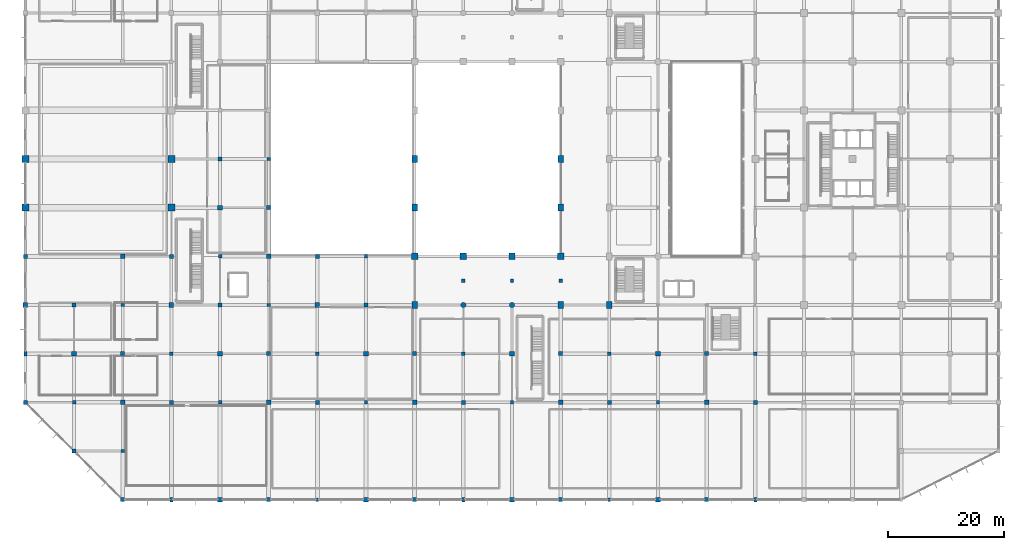
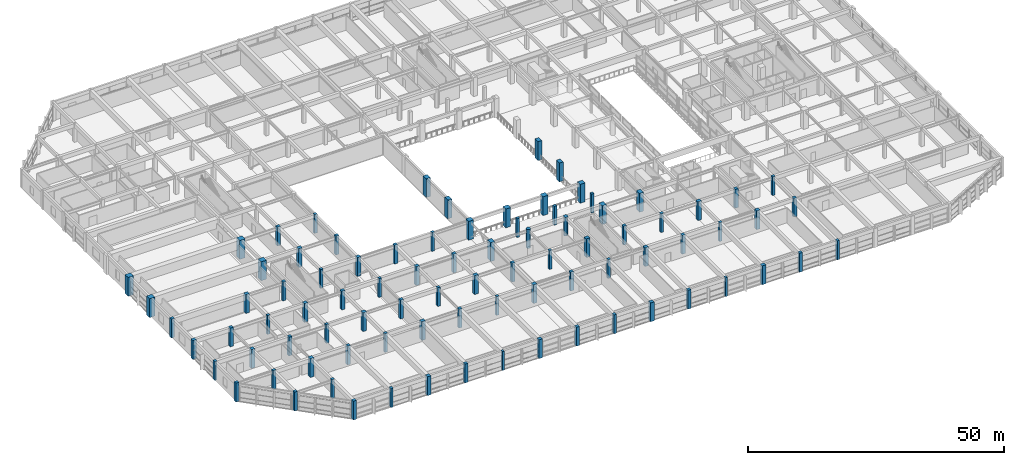
# One storey, part 1 of 65: 87 columns.
"""IFC4 building model written with IfcOpenShell, lengths in metres."""

from ifc_helpers import new_model, si_unit, direction, frame, origin, origin_2d, place, context, subcontext, project, spatial, rectangle, circle, extrude, material, material_profile, profile_set, type_object, element, save


model = new_model("IFC4")

# Units and contexts
model_context = context("Model", 3, precision=1e-05, world=origin(), true_north=direction((0.0, 1.0)))
body_context = subcontext(model_context, "Body", "Model", "MODEL_VIEW")
ifc_project = project(units=[si_unit("LENGTHUNIT", "METRE"), si_unit("AREAUNIT", "SQUARE_METRE"), si_unit("VOLUMEUNIT", "CUBIC_METRE"), si_unit("PLANEANGLEUNIT", "RADIAN"), si_unit("MASSUNIT", "GRAM", prefix="KILO")], contexts=[model_context])

# Site, building, storey
site_placement = place(None, origin())
site = spatial("IfcSite", under=ifc_project, at=site_placement, CompositionType="ELEMENT")
building_placement = place(site_placement, origin())
building = spatial("IfcBuilding", under=site, at=building_placement, Name="Xuanlan Plaza Opera House", CompositionType="ELEMENT")
storey_placement = place(building_placement, frame((0.0, 0.0, 5.39990234375)))
storey = spatial("IfcBuildingStorey", under=building, at=storey_placement, Name="L01", CompositionType="ELEMENT", Elevation=5.39990234375)

# Columns
ifc_material_1 = material(Name="Concrete C60", Category="concrete")
ifc_material_profile_1 = material_profile(ifc_material_1, rectangle(XDim=1.199951171875, YDim=1.199951171875, at=origin_2d()), Name="RC-COL 1200x1200")
ifc_profile_set_1 = profile_set([ifc_material_profile_1], Name="Concrete C60")
column_type_1 = type_object("IfcColumnType", Name="STR-COL-C-02", PredefinedType="COLUMN", material=ifc_profile_set_1)
for number, where, z_axis, x_axis, name in (
    (1, (0.0, 50.39990234375, 0.0), (0.0, 0.0, 1.0), (1.0, 0.0, 0.0), "Column L01 1-G"),
    (2, (0.0, 58.800048828125, 0.0), (0.0, 0.0, 1.0), (1.0, 0.0, 0.0), "Column L01 1-H"),
    (3, (25.199951171875, 50.39990234375, 0.0), (0.0, 0.0, 1.0), (1.0, 0.0, 0.0), "Column L01 4-G"),
    (4, (25.199951171875, 58.800048828125, 0.0), (0.0, 0.0, 1.0), (1.0, 0.0, 0.0), "Column L01 4-H"),
):
    element("IfcColumn", number, at=place(storey_placement, frame(where, z_axis=z_axis, x_axis=x_axis)), inside=storey, type_object=column_type_1, Name=name, PredefinedType="COLUMN", context=body_context, shape_type="SweptSolid", body=[
        extrude(rectangle(XDim=1.199951171875, YDim=1.199951171875, at=origin_2d()), origin(), (0.0, 0.0, 1.0), 4.5),
    ])
ifc_material_2 = material(Name="Concrete C50", Category="concrete")
ifc_material_profile_2 = material_profile(ifc_material_2, rectangle(XDim=1.10009765625, YDim=1.10009765625, at=origin_2d()), Name="RC-COL 1100x1100")
ifc_profile_set_2 = profile_set([ifc_material_profile_2], Name="Concrete C50")
column_type_2 = type_object("IfcColumnType", Name="STR-COL-C-03", PredefinedType="COLUMN", material=ifc_profile_set_2)
for number, where, z_axis, x_axis, name in (
    (5, (67.199951171875, 42.0, 0.0), (0.0, 0.0, 1.0), (1.0, 0.0, 0.0), "Column L01 9-F"),
    (6, (75.60009765625, 42.0, 0.0), (0.0, 0.0, 1.0), (1.0, 0.0, 0.0), "Column L01 10-F"),
    (7, (84.0, 42.0, 0.0), (0.0, 0.0, 1.0), (1.0, 0.0, 0.0), "Column L01 11-F"),
    (8, (92.39990234375, 42.0, 0.0), (0.0, 0.0, 1.0), (1.0, 0.0, 0.0), "Column L01 12-F"),
):
    element("IfcColumn", number, at=place(storey_placement, frame(where, z_axis=z_axis, x_axis=x_axis)), inside=storey, type_object=column_type_2, Name=name, PredefinedType="COLUMN", context=body_context, shape_type="SweptSolid", body=[
        extrude(rectangle(XDim=1.10009765625, YDim=1.10009765625, at=origin_2d()), origin(), (0.0, 0.0, 1.0), 4.5),
    ])
ifc_material_3 = material(Name="Concrete C40", Category="concrete")
ifc_material_profile_3 = material_profile(ifc_material_3, rectangle(XDim=0.800048828125, YDim=0.800048828125, at=origin_2d()), Name="RC-COL 800x800")
ifc_profile_set_3 = profile_set([ifc_material_profile_3], Name="Concrete C40")
column_type_3 = type_object("IfcColumnType", Name="STR-COL-C-06", PredefinedType="COLUMN", material=ifc_profile_set_3)
for number, where, z_axis, x_axis, name in (
    (9, (0.0, 33.60009765625, 0.0), (0.0, 0.0, 1.0), (1.0, 0.0, 0.0), "Column L01 1-E"),
    (10, (8.39990234375, 25.199951171875, 0.0), (0.0, 0.0, 1.0), (1.0, 0.0, 0.0), "Column L01 2-D"),
    (11, (16.800048828125, 16.800048828125, 0.0), (0.0, 0.0, 1.0), (1.0, 0.0, 0.0), "Column L01 3-C"),
    (12, (16.800048828125, 42.0, 0.0), (0.0, 0.0, 1.0), (1.0, 0.0, 0.0), "Column L01 3-F"),
    (13, (25.199951171875, 33.60009765625, 0.0), (0.0, 0.0, 1.0), (1.0, 0.0, 0.0), "Column L01 4-E"),
    (14, (33.60009765625, 0.0, 0.0), (0.0, 0.0, 1.0), (1.0, 0.0, 0.0), "Column L01 5-A"),
    (15, (33.60009765625, 25.199951171875, 0.0), (0.0, 0.0, 1.0), (1.0, 0.0, 0.0), "Column L01 5-D"),
    (16, (33.60009765625, 50.39990234375, 0.0), (0.0, 0.0, 1.0), (1.0, 0.0, 0.0), "Column L01 5-G"),
    (17, (42.0, 16.800048828125, 0.0), (0.0, 0.0, 1.0), (1.0, 0.0, 0.0), "Column L01 6-C"),
    (18, (42.0, 42.0, 0.0), (0.0, 0.0, 1.0), (1.0, 0.0, 0.0), "Column L01 6-F"),
    (19, (50.39990234375, 33.60009765625, 0.0), (0.0, 0.0, 1.0), (1.0, 0.0, 0.0), "Column L01 7-E"),
    (20, (58.800048828125, 0.0, 0.0), (0.0, 0.0, 1.0), (1.0, 0.0, 0.0), "Column L01 8-A"),
    (21, (58.800048828125, 25.199951171875, 0.0), (0.0, 0.0, 1.0), (1.0, 0.0, 0.0), "Column L01 8-D"),
    (22, (67.199951171875, 16.800048828125, 0.0), (0.0, 0.0, 1.0), (1.0, 0.0, 0.0), "Column L01 9-C"),
    (23, (84.0, 0.0, 0.0), (0.0, 0.0, 1.0), (1.0, 0.0, 0.0), "Column L01 11-A"),
    (24, (84.0, 25.199951171875, 0.0), (0.0, 0.0, 1.0), (1.0, 0.0, 0.0), "Column L01 11-D"),
    (25, (92.39990234375, 16.800048828125, 0.0), (0.0, 0.0, 1.0), (1.0, 0.0, 0.0), "Column L01 12-C"),
    (26, (109.199951171875, 0.0, 0.0), (0.0, 0.0, 1.0), (1.0, 0.0, 0.0), "Column L01 14-A"),
    (27, (109.199951171875, 25.199951171875, 0.0), (0.0, 0.0, 1.0), (1.0, 0.0, 0.0), "Column L01 14-D"),
    (28, (117.60009765625, 16.800048828125, 0.0), (0.0, 0.0, 1.0), (1.0, 0.0, 0.0), "Column L01 15-C"),
):
    element("IfcColumn", number, at=place(storey_placement, frame(where, z_axis=z_axis, x_axis=x_axis)), inside=storey, type_object=column_type_3, Name=name, PredefinedType="COLUMN", context=body_context, shape_type="SweptSolid", body=[
        extrude(rectangle(XDim=0.800048828125, YDim=0.800048828125, at=origin_2d()), origin(), (0.0, 0.0, 1.0), 4.5),
    ])
ifc_material_profile_4 = material_profile(ifc_material_3, rectangle(XDim=0.699951171875, YDim=0.699951171875, at=origin_2d()), Name="RC-COL 700x700")
ifc_profile_set_4 = profile_set([ifc_material_profile_4], Name="Concrete C40")
column_type_4 = type_object("IfcColumnType", Name="STR-COL-C-07", PredefinedType="COLUMN", material=ifc_profile_set_4)
for number, where, z_axis, x_axis, name in (
    (29, (0.0, 16.800048828125, 0.0), (0.0, 0.0, 1.0), (1.0, 0.0, 0.0), "Column L01 1-C"),
    (30, (0.0, 42.0, 0.0), (0.0, 0.0, 1.0), (1.0, 0.0, 0.0), "Column L01 1-F"),
    (31, (8.39990234375, 8.39990234375, 0.0), (0.0, 0.0, 1.0), (1.0, 0.0, 0.0), "Column L01 2-B"),
    (32, (8.39990234375, 33.60009765625, 0.0), (0.0, 0.0, 1.0), (1.0, 0.0, 0.0), "Column L01 2-E"),
    (33, (16.800048828125, 0.0, 0.0), (0.0, 0.0, 1.0), (1.0, 0.0, 0.0), "Column L01 3-A"),
    (34, (16.800048828125, 25.199951171875, 0.0), (0.0, 0.0, 1.0), (1.0, 0.0, 0.0), "Column L01 3-D"),
    (35, (25.199951171875, 16.800048828125, 0.0), (0.0, 0.0, 1.0), (1.0, 0.0, 0.0), "Column L01 4-C"),
    (36, (25.199951171875, 42.0, 0.0), (0.0, 0.0, 1.0), (1.0, 0.0, 0.0), "Column L01 4-F"),
    (37, (33.60009765625, 33.60009765625, 0.0), (0.0, 0.0, 1.0), (1.0, 0.0, 0.0), "Column L01 5-E"),
    (38, (33.60009765625, 58.800048828125, 0.0), (0.0, 0.0, 1.0), (1.0, 0.0, 0.0), "Column L01 5-H"),
    (39, (42.0, 0.0, 0.0), (0.0, 0.0, 1.0), (1.0, 0.0, 0.0), "Column L01 6-A"),
    (40, (42.0, 25.199951171875, 0.0), (0.0, 0.0, 1.0), (1.0, 0.0, 0.0), "Column L01 6-D"),
    (41, (42.0, 50.39990234375, 0.0), (0.0, 0.0, 1.0), (1.0, 0.0, 0.0), "Column L01 6-G"),
    (42, (50.39990234375, 16.800048828125, 0.0), (0.0, 0.0, 1.0), (1.0, 0.0, 0.0), "Column L01 7-C"),
    (43, (50.39990234375, 42.0, 0.0), (0.0, 0.0, 1.0), (1.0, 0.0, 0.0), "Column L01 7-F"),
    (44, (58.800048828125, 33.60009765625, 0.0), (0.0, 0.0, 1.0), (1.0, 0.0, 0.0), "Column L01 8-E"),
    (45, (67.199951171875, 0.0, 0.0), (0.0, 0.0, 1.0), (1.0, 0.0, 0.0), "Column L01 9-A"),
    (46, (67.199951171875, 25.199951171875, 0.0), (0.0, 0.0, 1.0), (1.0, 0.0, 0.0), "Column L01 9-D"),
    (47, (75.60009765625, 16.800048828125, 0.0), (0.0, 0.0, 1.0), (1.0, 0.0, 0.0), "Column L01 10-C"),
    (48, (92.39990234375, 0.0, 0.0), (0.0, 0.0, 1.0), (1.0, 0.0, 0.0), "Column L01 12-A"),
    (49, (92.39990234375, 25.199951171875, 0.0), (0.0, 0.0, 1.0), (1.0, 0.0, 0.0), "Column L01 12-D"),
    (50, (100.800048828125, 16.800048828125, 0.0), (0.0, 0.0, 1.0), (1.0, 0.0, 0.0), "Column L01 13-C"),
    (51, (117.60009765625, 0.0, 0.0), (0.0, 0.0, 1.0), (1.0, 0.0, 0.0), "Column L01 15-A"),
    (52, (117.60009765625, 25.199951171875, 0.0), (0.0, 0.0, 1.0), (1.0, 0.0, 0.0), "Column L01 15-D"),
    (53, (126.0, 16.800048828125, 0.0), (0.0, 0.0, 1.0), (1.0, 0.0, 0.0), "Column L01 16-C"),
):
    element("IfcColumn", number, at=place(storey_placement, frame(where, z_axis=z_axis, x_axis=x_axis)), inside=storey, type_object=column_type_4, Name=name, PredefinedType="COLUMN", context=body_context, shape_type="SweptSolid", body=[
        extrude(rectangle(XDim=0.699951171875, YDim=0.699951171875, at=origin_2d()), origin(), (0.0, 0.0, 1.0), 4.5),
    ])
ifc_material_profile_5 = material_profile(ifc_material_3, rectangle(XDim=0.60009765625, YDim=0.60009765625, at=origin_2d()), Name="RC-COL 600x600")
ifc_profile_set_5 = profile_set([ifc_material_profile_5], Name="Concrete C40")
column_type_5 = type_object("IfcColumnType", Name="STR-COL-C-08", PredefinedType="COLUMN", material=ifc_profile_set_5)
for number, where, z_axis, x_axis, name in (
    (54, (8.39990234375, 16.800048828125, 0.0), (0.0, 0.0, 1.0), (1.0, 0.0, 0.0), "Column L01 2-C"),
    (55, (16.800048828125, 8.39990234375, 0.0), (0.0, 0.0, 1.0), (1.0, 0.0, 0.0), "Column L01 3-B"),
    (56, (16.800048828125, 33.60009765625, 0.0), (0.0, 0.0, 1.0), (1.0, 0.0, 0.0), "Column L01 3-E"),
    (57, (25.199951171875, 25.199951171875, 0.0), (0.0, 0.0, 1.0), (1.0, 0.0, 0.0), "Column L01 4-D"),
    (58, (33.60009765625, 16.800048828125, 0.0), (0.0, 0.0, 1.0), (1.0, 0.0, 0.0), "Column L01 5-C"),
    (59, (33.60009765625, 42.0, 0.0), (0.0, 0.0, 1.0), (1.0, 0.0, 0.0), "Column L01 5-F"),
    (60, (42.0, 33.60009765625, 0.0), (0.0, 0.0, 1.0), (1.0, 0.0, 0.0), "Column L01 6-E"),
    (61, (42.0, 58.800048828125, 0.0), (0.0, 0.0, 1.0), (1.0, 0.0, 0.0), "Column L01 6-H"),
    (62, (50.39990234375, 25.199951171875, 0.0), (0.0, 0.0, 1.0), (1.0, 0.0, 0.0), "Column L01 7-D"),
    (63, (58.800048828125, 16.800048828125, 0.0), (0.0, 0.0, 1.0), (1.0, 0.0, 0.0), "Column L01 8-C"),
    (64, (58.800048828125, 42.0, 0.0), (0.0, 0.0, 1.0), (1.0, 0.0, 0.0), "Column L01 8-F"),
    (65, (75.60009765625, 25.199951171875, 0.0), (0.0, 0.0, 1.0), (1.0, 0.0, 0.0), "Column L01 10-D"),
    (66, (84.0, 16.800048828125, 0.0), (0.0, 0.0, 1.0), (1.0, 0.0, 0.0), "Column L01 11-C"),
    (67, (100.800048828125, 25.199951171875, 0.0), (0.0, 0.0, 1.0), (1.0, 0.0, 0.0), "Column L01 13-D"),
    (68, (109.199951171875, 16.800048828125, 0.0), (0.0, 0.0, 1.0), (1.0, 0.0, 0.0), "Column L01 14-C"),
    (69, (126.0, 25.199951171875, 0.0), (0.0, 0.0, 1.0), (1.0, 0.0, 0.0), "Column L01 16-D"),
    (70, (75.60009765625, 37.800048828125, 0.0), (0.0, 0.0, 1.0), (1.0, 0.0, 0.0), "Side Tier Support Column L01 S X75"),
    (71, (84.0, 37.800048828125, 0.0), (0.0, 0.0, 1.0), (1.0, 0.0, 0.0), "Side Tier Support Column L01 S X84"),
    (72, (92.39990234375, 37.800048828125, 0.0), (0.0, 0.0, 1.0), (1.0, 0.0, 0.0), "Side Tier Support Column L01 S X92"),
):
    element("IfcColumn", number, at=place(storey_placement, frame(where, z_axis=z_axis, x_axis=x_axis)), inside=storey, type_object=column_type_5, Name=name, PredefinedType="COLUMN", context=body_context, shape_type="SweptSolid", body=[
        extrude(rectangle(XDim=0.60009765625, YDim=0.60009765625, at=origin_2d()), origin(), (0.0, 0.0, 1.0), 4.5),
    ])
ifc_material_profile_6 = material_profile(ifc_material_2, rectangle(XDim=0.89990234375, YDim=1.199951171875, at=origin_2d()), Name="RC-COL 900x1200")
ifc_profile_set_6 = profile_set([ifc_material_profile_6], Name="Concrete C50")
column_type_6 = type_object("IfcColumnType", Name="STR-COL-C-10", PredefinedType="COLUMN", material=ifc_profile_set_6)
for number, where, z_axis, x_axis, name in (
    (73, (67.199951171875, 33.60009765625, 0.0), (0.0, 0.0, 1.0), (1.0, 0.0, 0.0), "Column L01 9-E"),
    (74, (67.199951171875, 50.39990234375, 0.0), (0.0, 0.0, 1.0), (1.0, 0.0, 0.0), "Column L01 9-G"),
    (75, (67.199951171875, 58.800048828125, 0.0), (0.0, 0.0, 1.0), (1.0, 0.0, 0.0), "Column L01 9-H"),
    (76, (92.39990234375, 33.60009765625, 0.0), (0.0, 0.0, 1.0), (1.0, 0.0, 0.0), "Column L01 12-E"),
    (77, (92.39990234375, 50.39990234375, 0.0), (0.0, 0.0, 1.0), (1.0, 0.0, 0.0), "Column L01 12-G"),
    (78, (92.39990234375, 58.800048828125, 0.0), (0.0, 0.0, 1.0), (1.0, 0.0, 0.0), "Column L01 12-H"),
    (79, (100.800048828125, 33.60009765625, 0.0), (0.0, 0.0, 1.0), (1.0, 0.0, 0.0), "Column L01 13-E"),
):
    element("IfcColumn", number, at=place(storey_placement, frame(where, z_axis=z_axis, x_axis=x_axis)), inside=storey, type_object=column_type_6, Name=name, PredefinedType="COLUMN", context=body_context, shape_type="SweptSolid", body=[
        extrude(rectangle(XDim=0.89990234375, YDim=1.199951171875, at=origin_2d()), origin(), (0.0, 0.0, 1.0), 4.5),
    ])
ifc_material_profile_7 = material_profile(ifc_material_3, circle(Radius=0.449951171875, at=origin_2d()), Name="RC-COL D900")
ifc_profile_set_7 = profile_set([ifc_material_profile_7], Name="Concrete C40")
column_type_7 = type_object("IfcColumnType", Name="STR-COL-C-12", PredefinedType="COLUMN", material=ifc_profile_set_7)
for number, where, z_axis, x_axis, name in (
    (80, (75.60009765625, 33.60009765625, 0.0), (0.0, 0.0, 1.0), (1.0, 0.0, 0.0), "Column L01 10-E"),
    (81, (84.0, 33.60009765625, 0.0), (0.0, 0.0, 1.0), (1.0, 0.0, 0.0), "Column L01 11-E"),
):
    element("IfcColumn", number, at=place(storey_placement, frame(where, z_axis=z_axis, x_axis=x_axis)), inside=storey, type_object=column_type_7, Name=name, PredefinedType="COLUMN", context=body_context, shape_type="SweptSolid", body=[
        extrude(circle(Radius=0.449951171875, at=origin_2d()), origin(), (0.0, 0.0, 1.0), 4.5),
    ])
ifc_material_profile_8 = material_profile(ifc_material_3, rectangle(XDim=0.449951171875, YDim=0.64990234375, at=origin_2d()), Name="RC-PIL 450x650")
ifc_profile_set_8 = profile_set([ifc_material_profile_8], Name="Concrete C40")
column_type_8 = type_object("IfcColumnType", Name="STR-COL-PL-01", PredefinedType="PILASTER", material=ifc_profile_set_8)
for number, where, z_axis, x_axis, name in (
    (82, (50.39990234375, 0.0, 0.0), (0.0, 0.0, 1.0), (1.0, 0.0, 0.0), "Column L01 7-A"),
    (83, (100.800048828125, 0.0, 0.0), (0.0, 0.0, 1.0), (1.0, 0.0, 0.0), "Column L01 13-A"),
):
    element("IfcColumn", number, at=place(storey_placement, frame(where, z_axis=z_axis, x_axis=x_axis)), inside=storey, type_object=column_type_8, Name=name, PredefinedType="PILASTER", context=body_context, shape_type="SweptSolid", body=[
        extrude(rectangle(XDim=0.449951171875, YDim=0.64990234375, at=origin_2d()), origin(), (0.0, 0.0, 1.0), 4.5),
    ])
ifc_material_profile_9 = material_profile(ifc_material_3, rectangle(XDim=0.5, YDim=0.75, at=origin_2d()), Name="RC-PIL 500x750")
ifc_profile_set_9 = profile_set([ifc_material_profile_9], Name="Concrete C40")
column_type_9 = type_object("IfcColumnType", Name="STR-COL-PL-02", PredefinedType="PILASTER", material=ifc_profile_set_9)
for number, where, z_axis, x_axis, name in (
    (84, (0.0, 25.199951171875, 0.0), (0.0, 0.0, 1.0), (1.0, 0.0, 0.0), "Column L01 1-D"),
    (85, (25.199951171875, 0.0, 0.0), (0.0, 0.0, 1.0), (1.0, 0.0, 0.0), "Column L01 4-A"),
    (86, (75.60009765625, 0.0, 0.0), (0.0, 0.0, 1.0), (1.0, 0.0, 0.0), "Column L01 10-A"),
    (87, (126.0, 0.0, 0.0), (0.0, 0.0, 1.0), (1.0, 0.0, 0.0), "Column L01 16-A"),
):
    element("IfcColumn", number, at=place(storey_placement, frame(where, z_axis=z_axis, x_axis=x_axis)), inside=storey, type_object=column_type_9, Name=name, PredefinedType="PILASTER", context=body_context, shape_type="SweptSolid", body=[
        extrude(rectangle(XDim=0.5, YDim=0.75, at=origin_2d()), origin(), (0.0, 0.0, 1.0), 4.5),
    ])

save(model, "model.ifc")
